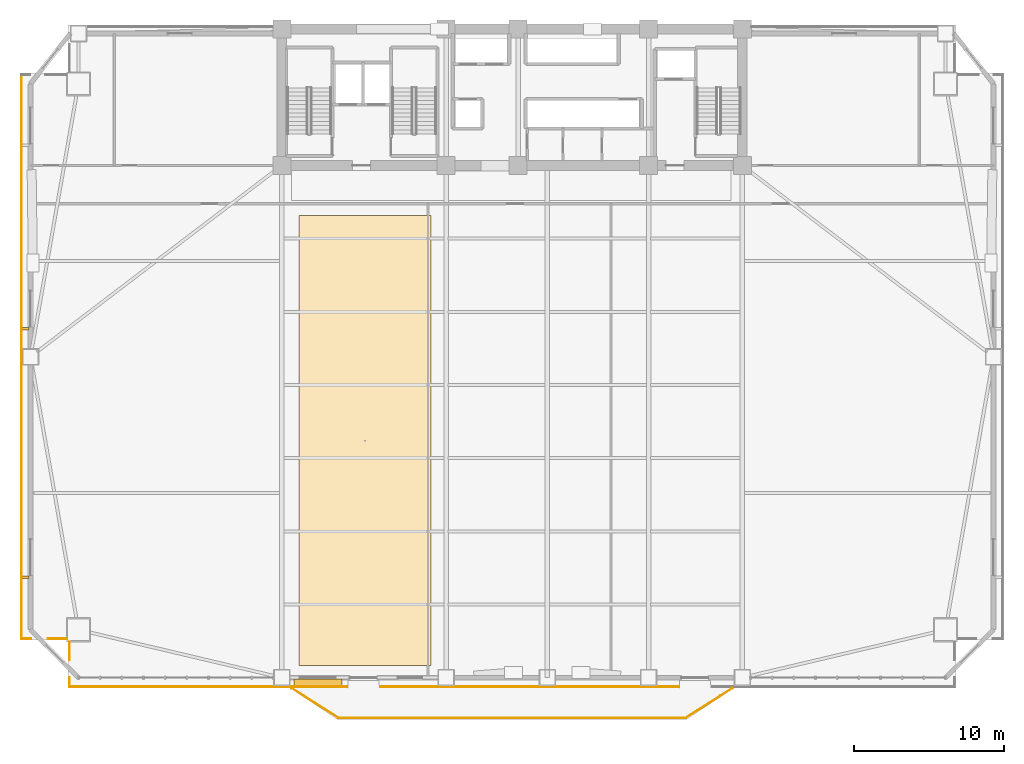
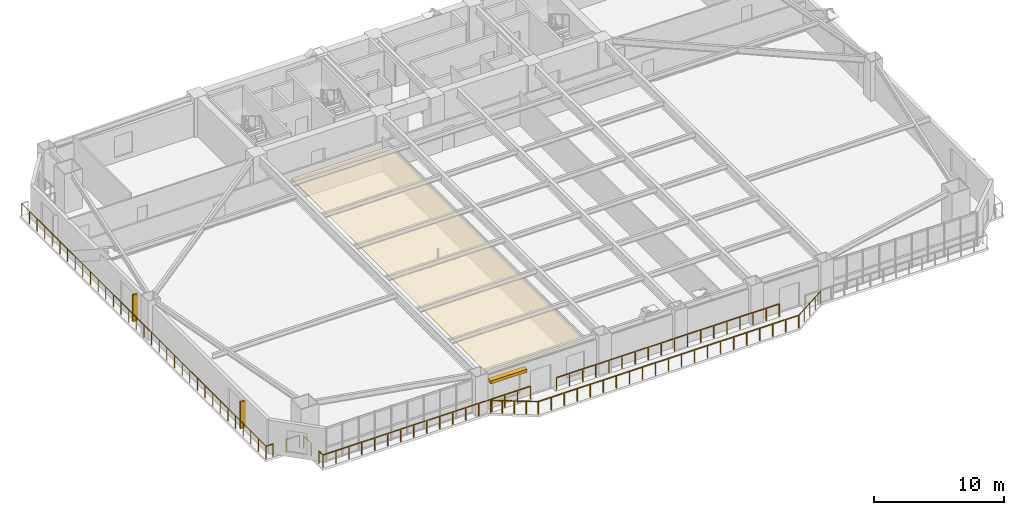
# One storey, part 13 of 17: 10 railings, 3 shading devices, 1 covering.
"""IFC4 building model written with IfcOpenShell, lengths in metres."""

import ifcopenshell
import ifcopenshell.guid

model = None  # the IFC model being written
_history = None  # IfcOwnerHistory: only IFC2X3 demands one
_inside = {}  # id of a spatial element -> (the spatial element, [elements in it])
_under = {}  # id of a project, library or spatial element -> (it, [spatial elements below it])
_declared = {}  # id of a project -> (the project, [libraries it declares])
_typed = {}  # id of a type object -> (the type object, [elements of that type])
_made_of = {}  # id of a material, layer set ... -> (it, [elements and type objects made of it])


def new_model(schema):
    """Start an empty IFC model of exactly this schema.

    Asked for "IFC4X3", IfcOpenShell would pick the latest addendum, in which some entities
    have other attributes; the version numbers below select the first issue.
    IFC2X3 requires an IfcOwnerHistory on every rooted entity: one is made here for all.
    """
    global model, _history
    if schema == "IFC4X3":
        model = ifcopenshell.file(schema_version=(4, 3, 0, 0))
    else:
        model = ifcopenshell.file(schema=schema)
    _inside.clear()
    _under.clear()
    _declared.clear()
    _typed.clear()
    _made_of.clear()
    _history = None
    if model.schema == "IFC2X3":
        org = make("IfcOrganization", Name="unknown")
        user = make(
            "IfcPersonAndOrganization",
            ThePerson=make("IfcPerson", FamilyName="unknown"),
            TheOrganization=org,
        )
        app = make(
            "IfcApplication",
            ApplicationDeveloper=org,
            Version="unknown",
            ApplicationFullName="unknown",
            ApplicationIdentifier="unknown",
        )
        _history = make(
            "IfcOwnerHistory",
            OwningUser=user,
            OwningApplication=app,
            ChangeAction="ADDED",
            CreationDate=0,
        )
    return model


def make(cls, **values):
    """One entity of the class cls with the attributes given. An attribute that is None is left unset."""
    return model.create_entity(
        cls, **{name: value for name, value in values.items() if value is not None}
    )


def rooted(cls, **values):
    """An entity with a GlobalId (a new one), such as an element, a storey or a relation."""
    return make(cls, GlobalId=ifcopenshell.guid.new(), OwnerHistory=_history, **values)


def si_unit(unit_type, name, prefix=None):
    """IfcSIUnit, for example si_unit("LENGTHUNIT", "METRE", prefix="MILLI")."""
    return make("IfcSIUnit", UnitType=unit_type, Prefix=prefix, Name=name)


def assignment(units):
    """IfcUnitAssignment: the units of a project."""
    return None if units is None else make("IfcUnitAssignment", Units=units)


def point(xyz):
    """IfcCartesianPoint."""
    return None if xyz is None else make("IfcCartesianPoint", Coordinates=xyz)


def direction(xyz):
    """IfcDirection."""
    return None if xyz is None else make("IfcDirection", DirectionRatios=xyz)


def frame(location, z_axis=None, x_axis=None):
    """IfcAxis2Placement3D, a coordinate frame: its origin and axes. An axis left out is left unset."""
    return make(
        "IfcAxis2Placement3D",
        Location=point(location),
        Axis=direction(z_axis),
        RefDirection=direction(x_axis),
    )


def frame_2d(location, x_axis=None):
    """IfcAxis2Placement2D, a coordinate frame in the plane: its origin and x axis."""
    return make(
        "IfcAxis2Placement2D", Location=point(location), RefDirection=direction(x_axis)
    )


def origin():
    """The frame at (0, 0, 0) with its axes left unset."""
    return frame((0.0, 0.0, 0.0))


def origin_2d():
    """The frame at (0, 0) in the plane with its x axis left unset."""
    return frame_2d((0.0, 0.0))


def place(relative_to, where):
    """IfcLocalPlacement: puts the frame where relative to a parent placement (None: the world)."""
    return make(
        "IfcLocalPlacement", PlacementRelTo=relative_to, RelativePlacement=where
    )


def context(
    kind, dimensions, precision=None, world=None, true_north=None, identifier=None
):
    """IfcGeometricRepresentationContext, for example the 3D "Model" context."""
    return make(
        "IfcGeometricRepresentationContext",
        ContextIdentifier=identifier,
        ContextType=kind,
        CoordinateSpaceDimension=dimensions,
        Precision=precision,
        WorldCoordinateSystem=world,
        TrueNorth=true_north,
    )


def subcontext(parent, identifier, kind, view, scale=None):
    """IfcGeometricRepresentationSubContext, for example "Body" below "Model"."""
    return make(
        "IfcGeometricRepresentationSubContext",
        ContextIdentifier=identifier,
        ContextType=kind,
        ParentContext=parent,
        TargetScale=scale,
        TargetView=view,
    )


def project(units=None, contexts=None):
    """IfcProject with its units and contexts."""
    return rooted(
        "IfcProject",
        Name="project",
        RepresentationContexts=contexts,
        UnitsInContext=assignment(units),
    )


def spatial(cls, under=None, at=None, **own):
    """A site, building, storey or space (cls), placed at a placement, below another one or the project."""
    s = rooted(cls, ObjectPlacement=at, **own)
    if under is not None:
        _under.setdefault(under.id(), (under, []))[1].append(s)
    return s


def polyline(points):
    """IfcPolyline through the points."""
    return make("IfcPolyline", Points=[point(p) for p in points])


def profile(cls, at=None, kind="AREA", **sizes):
    """A parametric profile (cls). Its sizes go by their IFC names, for example OverallWidth=200.0."""
    return make(cls, ProfileType=kind, Position=at, **sizes)


def rectangle(**sizes):
    """IfcRectangleProfileDef."""
    return profile("IfcRectangleProfileDef", **sizes)


def outline(outer, holes=None, kind="AREA"):
    """IfcArbitraryClosedProfileDef: a profile drawn as a closed curve; with holes, ...WithVoids."""
    if holes is None:
        return make("IfcArbitraryClosedProfileDef", ProfileType=kind, OuterCurve=outer)
    return make(
        "IfcArbitraryProfileDefWithVoids",
        ProfileType=kind,
        OuterCurve=outer,
        InnerCurves=holes,
    )


def extrude(swept, where, along, depth):
    """IfcExtrudedAreaSolid: the profile swept, set in the frame where, extruded along a direction by depth."""
    return make(
        "IfcExtrudedAreaSolid",
        SweptArea=swept,
        Position=where,
        ExtrudedDirection=direction(along),
        Depth=depth,
    )


def shape(context_of_items, identifier, shape_type, items):
    """IfcShapeRepresentation: the items that make up one representation, for example the "Body"."""
    return make(
        "IfcShapeRepresentation",
        ContextOfItems=context_of_items,
        RepresentationIdentifier=identifier,
        RepresentationType=shape_type,
        Items=items,
    )


def source(mapping_origin, context_of_items, identifier, shape_type, items):
    """IfcRepresentationMap: a shape defined once, which mapped items show again and again."""
    return make(
        "IfcRepresentationMap",
        MappingOrigin=mapping_origin,
        MappedRepresentation=shape(context_of_items, identifier, shape_type, items),
    )


def transform(
    local_origin,
    x_axis=None,
    y_axis=None,
    z_axis=None,
    scale=None,
    scale2=None,
    scale3=None,
    uniform=True,
):
    """IfcCartesianTransformationOperator3D, or its non-uniform kind. x_axis, y_axis, z_axis: its Axis1, 2, 3."""
    if uniform:
        return make(
            "IfcCartesianTransformationOperator3D",
            Axis1=direction(x_axis),
            Axis2=direction(y_axis),
            LocalOrigin=point(local_origin),
            Scale=scale,
            Axis3=direction(z_axis),
        )
    return make(
        "IfcCartesianTransformationOperator3DnonUniform",
        Axis1=direction(x_axis),
        Axis2=direction(y_axis),
        LocalOrigin=point(local_origin),
        Scale=scale,
        Axis3=direction(z_axis),
        Scale2=scale2,
        Scale3=scale3,
    )


def mapped(mapping_source, mapping_target):
    """IfcMappedItem: shows the shape of a source again, moved by a transform."""
    return make(
        "IfcMappedItem", MappingSource=mapping_source, MappingTarget=mapping_target
    )


def material(Name=None, Category=None):
    """IfcMaterial."""
    return make("IfcMaterial", Name=Name, Category=Category)


def layer(
    of_material, thickness, ventilated=None, Name=None, Category=None, Priority=None
):
    """IfcMaterialLayer: one layer of a wall or slab, of a material (None: an air gap)."""
    return make(
        "IfcMaterialLayer",
        Material=of_material,
        LayerThickness=thickness,
        IsVentilated=ventilated,
        Name=Name,
        Category=Category,
        Priority=Priority,
    )


def layer_set(layers, Name=None):
    """IfcMaterialLayerSet."""
    return make("IfcMaterialLayerSet", MaterialLayers=layers, LayerSetName=Name)


def made_of(thing, what):
    """Note that an element or type object is made of a material, layer set ...; save() writes the relation."""
    if what is not None:
        _made_of.setdefault(what.id(), (what, []))[1].append(thing)
    return thing


def type_object(cls, material=None, **own):
    """A type object (cls), such as IfcWallType, which elements share."""
    return made_of(rooted(cls, **own), material)


def element(
    cls,
    number,
    at=None,
    inside=None,
    cuts=None,
    type_object=None,
    material=None,
    context=None,
    identifier="Body",
    shape_type=None,
    held_by="IfcProductDefinitionShape",
    body=None,
    shapes=None,
    **own,
):
    """One element of the class cls, such as IfcWall. Its Tag is "e" and its number.

    at: its placement. inside: the storey or other place that contains it. cuts: it is an
    opening in that element (IfcRelVoidsElement). A single representation is given by context,
    identifier, shape_type and body (its items); several are given by shapes. held_by: the class
    of the entity that holds the representations. save() writes the other relations.
    """
    e = rooted(cls, Tag="e%d" % number, ObjectPlacement=at, **own)
    if body is not None:
        shapes = [shape(context, identifier, shape_type, body)]
    if shapes is not None:
        e.Representation = make(held_by, Representations=shapes)
    if inside is not None:
        _inside.setdefault(inside.id(), (inside, []))[1].append(e)
    if cuts is not None:
        rooted(
            "IfcRelVoidsElement", RelatingBuildingElement=cuts, RelatedOpeningElement=e
        )
    if type_object is not None:
        _typed.setdefault(type_object.id(), (type_object, []))[1].append(e)
    return made_of(e, material)


def aggregate(whole, parts):
    """IfcRelAggregates: a whole, such as a stair, and the parts it consists of."""
    return rooted("IfcRelAggregates", RelatingObject=whole, RelatedObjects=parts)


def save(model, path):
    """Write the relations noted so far, then the file.

    IfcRelAggregates (storeys below a building ...), IfcRelContainedInSpatialStructure (elements
    in a storey), IfcRelDefinesByType, IfcRelAssociatesMaterial and IfcRelDeclares: one each for
    every whole, place, type object, material and project.
    """
    for whole, parts in _under.values():
        aggregate(whole, parts)
    for where, things in _inside.values():
        rooted(
            "IfcRelContainedInSpatialStructure",
            RelatedElements=things,
            RelatingStructure=where,
        )
    for kind, things in _typed.values():
        rooted("IfcRelDefinesByType", RelatedObjects=things, RelatingType=kind)
    for what, things in _made_of.values():
        rooted("IfcRelAssociatesMaterial", RelatedObjects=things, RelatingMaterial=what)
    for by, libraries in _declared.values():
        rooted("IfcRelDeclares", RelatingContext=by, RelatedDefinitions=libraries)
    model.write(path)


model = new_model("IFC4")

# Units and contexts
model_context = context("Model", 3, precision=1e-05, world=origin(), true_north=direction((0.0, 1.0)))
body_context = subcontext(model_context, "Body", "Model", "MODEL_VIEW")
ifc_project = project(units=[si_unit("LENGTHUNIT", "METRE"), si_unit("AREAUNIT", "SQUARE_METRE"), si_unit("VOLUMEUNIT", "CUBIC_METRE"), si_unit("PLANEANGLEUNIT", "RADIAN"), si_unit("MASSUNIT", "GRAM", prefix="KILO")], contexts=[model_context])

# Site, building, storey
site_placement = place(None, origin())
site = spatial("IfcSite", under=ifc_project, at=site_placement, CompositionType="ELEMENT")
building_placement = place(site_placement, origin())
building = spatial("IfcBuilding", under=site, at=building_placement, Name="Giltprow Tower", CompositionType="ELEMENT")
storey_placement = place(building_placement, frame((0.0, 0.0, 29.300048828125)))
storey = spatial("IfcBuildingStorey", under=building, at=storey_placement, Name="L07", CompositionType="ELEMENT", Elevation=29.300048828125)

# Covering
ifc_material_1 = material(Name="Acoustic mineral fibre", Category="gypsum")
ifc_layer = layer(ifc_material_1, 0.030029296875, Name="Acoustic mineral fibre")
ifc_layer_set = layer_set([ifc_layer], Name="Acoustic mineral fibre")
covering_type = type_object("IfcCoveringType", Name="COV-CLG-ACOUSTIC", PredefinedType="CEILING", material=ifc_layer_set)
covering_placement = place(storey_placement, frame((0.0, 0.0, 2.719970703125)))
element("IfcCovering", 1, at=covering_placement, inside=storey, type_object=covering_type, Name="L07 Office Acoustic Ceiling", PredefinedType="CEILING", context=body_context, shape_type="SweptSolid", body=[
    extrude(outline(polyline([(21.0, 4.10009765625), (29.800048828125, 4.10009765625), (29.800048828125, 34.10009765625), (21.0, 34.10009765625), (21.0, 4.10009765625)])), origin(), (0.0, 0.0, 1.0), 0.030029296875),
])

# Railings
ifc_material_2 = material(Name="Anodized bronze", Category="metal")
railing_type = type_object("IfcRailingType", Name="RAIL-BALC-GUARD-1200", PredefinedType="BALUSTRADE", material=ifc_material_2)
railing_1_placement = place(storey_placement, frame((20.52001953125, 2.60009765625, 0.0)))
element("IfcRailing", 2, at=railing_1_placement, inside=storey, type_object=railing_type, Name="L07 Waterfront Balcony Balustrade Seg 1", PredefinedType="BALUSTRADE", context=body_context, shape_type="SweptSolid", body=[
    extrude(rectangle(XDim=0.048095703125, YDim=0.048095703125, at=origin_2d()), frame((0.0, 0.0, 1.17578125), z_axis=(0.84277487735, -0.538266203757, 0.0), x_axis=(0.538266203757, 0.84277487735, 0.0)), (0.0, 0.0, 1.0), 3.678466796875),
    extrude(rectangle(XDim=0.0419921875, YDim=0.0419921875, at=origin_2d()), origin(), (0.0, 0.0, 1.0), 1.15185546875),
    extrude(rectangle(XDim=0.0419921875, YDim=0.0419921875, at=origin_2d()), frame((0.77490234375, -0.4951171875, 0.0)), (0.0, 0.0, 1.0), 1.15185546875),
    extrude(rectangle(XDim=0.0419921875, YDim=0.0419921875, at=origin_2d()), frame((1.550048828125, -0.989990234375, 0.0)), (0.0, 0.0, 1.0), 1.15185546875),
    extrude(rectangle(XDim=0.0419921875, YDim=0.0419921875, at=origin_2d()), frame((2.3251953125, -1.48486328125, 0.0)), (0.0, 0.0, 1.0), 1.15185546875),
    extrude(rectangle(XDim=0.0419921875, YDim=0.0419921875, at=origin_2d()), frame((3.10009765625, -1.97998046875, 0.0)), (0.0, 0.0, 1.0), 1.15185546875),
])
railing_2_placement = place(storey_placement, frame((23.6201171875, 0.6201171875, 0.0)))
element("IfcRailing", 3, at=railing_2_placement, inside=storey, type_object=railing_type, Name="L07 Waterfront Balcony Balustrade Seg 2", PredefinedType="BALUSTRADE", context=body_context, shape_type="SweptSolid", body=[
    extrude(rectangle(XDim=0.048095703125, YDim=0.048095703125, at=origin_2d()), frame((0.0, 0.0, 1.17578125), z_axis=(1.0, 0.0, 0.0), x_axis=(0.0, 1.0, 0.0)), (0.0, 0.0, 1.0), 23.159912109375),
    extrude(rectangle(XDim=0.0419921875, YDim=0.0419921875, at=origin_2d()), origin(), (0.0, 0.0, 1.0), 1.15185546875),
    extrude(rectangle(XDim=0.0419921875, YDim=0.0419921875, at=origin_2d()), frame((1.157958984375, 0.0, 0.0)), (0.0, 0.0, 1.0), 1.15185546875),
    extrude(rectangle(XDim=0.0419921875, YDim=0.0419921875, at=origin_2d()), frame((2.31591796875, 0.0, 0.0)), (0.0, 0.0, 1.0), 1.15185546875),
    extrude(rectangle(XDim=0.0419921875, YDim=0.0419921875, at=origin_2d()), frame((3.473876953125, 0.0, 0.0)), (0.0, 0.0, 1.0), 1.15185546875),
    extrude(rectangle(XDim=0.0419921875, YDim=0.0419921875, at=origin_2d()), frame((4.632080078125, 0.0, 0.0)), (0.0, 0.0, 1.0), 1.15185546875),
    extrude(rectangle(XDim=0.0419921875, YDim=0.0419921875, at=origin_2d()), frame((5.7900390625, 0.0, 0.0)), (0.0, 0.0, 1.0), 1.15185546875),
    extrude(rectangle(XDim=0.0419921875, YDim=0.0419921875, at=origin_2d()), frame((6.947998046875, 0.0, 0.0)), (0.0, 0.0, 1.0), 1.15185546875),
    extrude(rectangle(XDim=0.0419921875, YDim=0.0419921875, at=origin_2d()), frame((8.10595703125, 0.0, 0.0)), (0.0, 0.0, 1.0), 1.15185546875),
    extrude(rectangle(XDim=0.0419921875, YDim=0.0419921875, at=origin_2d()), frame((9.263916015625, 0.0, 0.0)), (0.0, 0.0, 1.0), 1.15185546875),
    extrude(rectangle(XDim=0.0419921875, YDim=0.0419921875, at=origin_2d()), frame((10.421875, 0.0, 0.0)), (0.0, 0.0, 1.0), 1.15185546875),
    extrude(rectangle(XDim=0.0419921875, YDim=0.0419921875, at=origin_2d()), frame((11.580078125, 0.0, 0.0)), (0.0, 0.0, 1.0), 1.15185546875),
    extrude(rectangle(XDim=0.0419921875, YDim=0.0419921875, at=origin_2d()), frame((12.738037109375, 0.0, 0.0)), (0.0, 0.0, 1.0), 1.15185546875),
    extrude(rectangle(XDim=0.0419921875, YDim=0.0419921875, at=origin_2d()), frame((13.89599609375, 0.0, 0.0)), (0.0, 0.0, 1.0), 1.15185546875),
    extrude(rectangle(XDim=0.0419921875, YDim=0.0419921875, at=origin_2d()), frame((15.053955078125, 0.0, 0.0)), (0.0, 0.0, 1.0), 1.15185546875),
    extrude(rectangle(XDim=0.0419921875, YDim=0.0419921875, at=origin_2d()), frame((16.2119140625, 0.0, 0.0)), (0.0, 0.0, 1.0), 1.15185546875),
    extrude(rectangle(XDim=0.0419921875, YDim=0.0419921875, at=origin_2d()), frame((17.369873046875, 0.0, 0.0)), (0.0, 0.0, 1.0), 1.15185546875),
    extrude(rectangle(XDim=0.0419921875, YDim=0.0419921875, at=origin_2d()), frame((18.52783203125, 0.0, 0.0)), (0.0, 0.0, 1.0), 1.15185546875),
    extrude(rectangle(XDim=0.0419921875, YDim=0.0419921875, at=origin_2d()), frame((19.68603515625, 0.0, 0.0)), (0.0, 0.0, 1.0), 1.15185546875),
    extrude(rectangle(XDim=0.0419921875, YDim=0.0419921875, at=origin_2d()), frame((20.843994140625, 0.0, 0.0)), (0.0, 0.0, 1.0), 1.15185546875),
    extrude(rectangle(XDim=0.0419921875, YDim=0.0419921875, at=origin_2d()), frame((22.001953125, 0.0, 0.0)), (0.0, 0.0, 1.0), 1.15185546875),
    extrude(rectangle(XDim=0.0419921875, YDim=0.0419921875, at=origin_2d()), frame((23.159912109375, 0.0, 0.0)), (0.0, 0.0, 1.0), 1.15185546875),
])
railing_3_placement = place(storey_placement, frame((46.780029296875, 0.6201171875, 0.0)))
element("IfcRailing", 4, at=railing_3_placement, inside=storey, type_object=railing_type, Name="L07 Waterfront Balcony Balustrade Seg 3", PredefinedType="BALUSTRADE", context=body_context, shape_type="SweptSolid", body=[
    extrude(rectangle(XDim=0.048095703125, YDim=0.048095703125, at=origin_2d()), frame((0.0, 0.0, 1.17578125), z_axis=(0.842755646126, 0.538296313309, 0.0), x_axis=(-0.538296313309, 0.842755646126, 0.0)), (0.0, 0.0, 1.0), 3.67822265625),
    extrude(rectangle(XDim=0.0419921875, YDim=0.0419921875, at=origin_2d()), origin(), (0.0, 0.0, 1.0), 1.15185546875),
    extrude(rectangle(XDim=0.0419921875, YDim=0.0419921875, at=origin_2d()), frame((0.77490234375, 0.4951171875, 0.0)), (0.0, 0.0, 1.0), 1.15185546875),
    extrude(rectangle(XDim=0.0419921875, YDim=0.0419921875, at=origin_2d()), frame((1.5498046875, 0.989990234375, 0.0)), (0.0, 0.0, 1.0), 1.15185546875),
    extrude(rectangle(XDim=0.0419921875, YDim=0.0419921875, at=origin_2d()), frame((2.324951171875, 1.48486328125, 0.0)), (0.0, 0.0, 1.0), 1.15185546875),
    extrude(rectangle(XDim=0.0419921875, YDim=0.0419921875, at=origin_2d()), frame((3.099853515625, 1.97998046875, 0.0)), (0.0, 0.0, 1.0), 1.15185546875),
])
railing_4_placement = place(storey_placement, frame((5.699951171875, 2.699951171875, 0.0)))
element("IfcRailing", 5, at=railing_4_placement, inside=storey, type_object=railing_type, Name="L07 Corner Apron Edge Balustrade 1", PredefinedType="BALUSTRADE", context=body_context, shape_type="SweptSolid", body=[
    extrude(rectangle(XDim=0.048095703125, YDim=0.048095703125, at=origin_2d()), frame((0.0, 0.0, 1.17578125), z_axis=(0.0, 1.0, 0.0), x_axis=(-1.0, 0.0, 0.0)), (0.0, 0.0, 1.0), 0.6201171875),
    extrude(rectangle(XDim=0.0419921875, YDim=0.0419921875, at=origin_2d()), origin(), (0.0, 0.0, 1.0), 1.15185546875),
    extrude(rectangle(XDim=0.0419921875, YDim=0.0419921875, at=origin_2d()), frame((0.0, 0.6201171875, 0.0)), (0.0, 0.0, 1.0), 1.15185546875),
])
railing_5_placement = place(storey_placement, frame((5.699951171875, 4.47998046875, 0.0)))
element("IfcRailing", 6, at=railing_5_placement, inside=storey, type_object=railing_type, Name="L07 Corner Apron Edge Balustrade 2", PredefinedType="BALUSTRADE", context=body_context, shape_type="SweptSolid", body=[
    extrude(rectangle(XDim=0.048095703125, YDim=0.048095703125, at=origin_2d()), frame((0.0, 0.0, 1.17578125), z_axis=(0.0, 1.0, 0.0), x_axis=(-1.0, 0.0, 0.0)), (0.0, 0.0, 1.0), 1.18505859375),
    extrude(rectangle(XDim=0.0419921875, YDim=0.0419921875, at=origin_2d()), origin(), (0.0, 0.0, 1.0), 1.15185546875),
    extrude(rectangle(XDim=0.0419921875, YDim=0.0419921875, at=origin_2d()), frame((0.0, 1.18505859375, 0.0)), (0.0, 0.0, 1.0), 1.15185546875),
])
railing_6_placement = place(storey_placement, frame((5.465087890625, 5.89990234375, 0.0)))
element("IfcRailing", 7, at=railing_6_placement, inside=storey, type_object=railing_type, Name="L07 Corner Apron Edge Balustrade 3", PredefinedType="BALUSTRADE", context=body_context, shape_type="SweptSolid", body=[
    extrude(rectangle(XDim=0.048095703125, YDim=0.048095703125, at=origin_2d()), frame((0.0, 0.0, 1.17578125), z_axis=(-1.0, 0.0, 0.0), x_axis=(0.0, -1.0, 0.0)), (0.0, 0.0, 1.0), 1.18505859375),
    extrude(rectangle(XDim=0.0419921875, YDim=0.0419921875, at=origin_2d()), origin(), (0.0, 0.0, 1.0), 1.15185546875),
    extrude(rectangle(XDim=0.0419921875, YDim=0.0419921875, at=origin_2d()), frame((-1.18505859375, 0.0, 0.0)), (0.0, 0.0, 1.0), 1.15185546875),
])
railing_7_placement = place(storey_placement, frame((3.1201171875, 5.89990234375, 0.0)))
element("IfcRailing", 8, at=railing_7_placement, inside=storey, type_object=railing_type, Name="L07 Corner Apron Edge Balustrade 4", PredefinedType="BALUSTRADE", context=body_context, shape_type="SweptSolid", body=[
    extrude(rectangle(XDim=0.048095703125, YDim=0.048095703125, at=origin_2d()), frame((0.0, 0.0, 1.17578125), z_axis=(-1.0, 0.0, 0.0), x_axis=(0.0, -1.0, 0.0)), (0.0, 0.0, 1.0), 0.6201171875),
    extrude(rectangle(XDim=0.0419921875, YDim=0.0419921875, at=origin_2d()), origin(), (0.0, 0.0, 1.0), 1.15185546875),
    extrude(rectangle(XDim=0.0419921875, YDim=0.0419921875, at=origin_2d()), frame((-0.6201171875, 0.0, 0.0)), (0.0, 0.0, 1.0), 1.15185546875),
])
railing_8_placement = place(storey_placement, frame((2.5, 5.89990234375, 0.0)))
element("IfcRailing", 9, at=railing_8_placement, inside=storey, type_object=railing_type, Name="L07 Corner Apron Edge Balustrade 5", PredefinedType="BALUSTRADE", context=body_context, shape_type="SweptSolid", body=[
    extrude(rectangle(XDim=0.048095703125, YDim=0.048095703125, at=origin_2d()), frame((0.0, 0.0, 1.17578125), z_axis=(0.0, 1.0, 0.0), x_axis=(-1.0, 0.0, 0.0)), (0.0, 0.0, 1.0), 37.60009765625),
    extrude(rectangle(XDim=0.0419921875, YDim=0.0419921875, at=origin_2d()), origin(), (0.0, 0.0, 1.0), 1.15185546875),
    extrude(rectangle(XDim=0.0419921875, YDim=0.0419921875, at=origin_2d()), frame((0.0, 1.175048828125, 0.0)), (0.0, 0.0, 1.0), 1.15185546875),
    extrude(rectangle(XDim=0.0419921875, YDim=0.0419921875, at=origin_2d()), frame((0.0, 2.35009765625, 0.0)), (0.0, 0.0, 1.0), 1.15185546875),
    extrude(rectangle(XDim=0.0419921875, YDim=0.0419921875, at=origin_2d()), frame((0.0, 3.52490234375, 0.0)), (0.0, 0.0, 1.0), 1.15185546875),
    extrude(rectangle(XDim=0.0419921875, YDim=0.0419921875, at=origin_2d()), frame((0.0, 4.699951171875, 0.0)), (0.0, 0.0, 1.0), 1.15185546875),
    extrude(rectangle(XDim=0.0419921875, YDim=0.0419921875, at=origin_2d()), frame((0.0, 5.875, 0.0)), (0.0, 0.0, 1.0), 1.15185546875),
    extrude(rectangle(XDim=0.0419921875, YDim=0.0419921875, at=origin_2d()), frame((0.0, 7.050048828125, 0.0)), (0.0, 0.0, 1.0), 1.15185546875),
    extrude(rectangle(XDim=0.0419921875, YDim=0.0419921875, at=origin_2d()), frame((0.0, 8.22509765625, 0.0)), (0.0, 0.0, 1.0), 1.15185546875),
    extrude(rectangle(XDim=0.0419921875, YDim=0.0419921875, at=origin_2d()), frame((0.0, 9.39990234375, 0.0)), (0.0, 0.0, 1.0), 1.15185546875),
    extrude(rectangle(XDim=0.0419921875, YDim=0.0419921875, at=origin_2d()), frame((0.0, 10.574951171875, 0.0)), (0.0, 0.0, 1.0), 1.15185546875),
    extrude(rectangle(XDim=0.0419921875, YDim=0.0419921875, at=origin_2d()), frame((0.0, 11.75, 0.0)), (0.0, 0.0, 1.0), 1.15185546875),
    extrude(rectangle(XDim=0.0419921875, YDim=0.0419921875, at=origin_2d()), frame((0.0, 12.925048828125, 0.0)), (0.0, 0.0, 1.0), 1.15185546875),
    extrude(rectangle(XDim=0.0419921875, YDim=0.0419921875, at=origin_2d()), frame((0.0, 14.10009765625, 0.0)), (0.0, 0.0, 1.0), 1.15185546875),
    extrude(rectangle(XDim=0.0419921875, YDim=0.0419921875, at=origin_2d()), frame((0.0, 15.275146484375, 0.0)), (0.0, 0.0, 1.0), 1.15185546875),
    extrude(rectangle(XDim=0.0419921875, YDim=0.0419921875, at=origin_2d()), frame((0.0, 16.449951171875, 0.0)), (0.0, 0.0, 1.0), 1.15185546875),
    extrude(rectangle(XDim=0.0419921875, YDim=0.0419921875, at=origin_2d()), frame((0.0, 17.625, 0.0)), (0.0, 0.0, 1.0), 1.15185546875),
    extrude(rectangle(XDim=0.0419921875, YDim=0.0419921875, at=origin_2d()), frame((0.0, 18.800048828125, 0.0)), (0.0, 0.0, 1.0), 1.15185546875),
    extrude(rectangle(XDim=0.0419921875, YDim=0.0419921875, at=origin_2d()), frame((0.0, 19.97509765625, 0.0)), (0.0, 0.0, 1.0), 1.15185546875),
    extrude(rectangle(XDim=0.0419921875, YDim=0.0419921875, at=origin_2d()), frame((0.0, 21.150146484375, 0.0)), (0.0, 0.0, 1.0), 1.15185546875),
    extrude(rectangle(XDim=0.0419921875, YDim=0.0419921875, at=origin_2d()), frame((0.0, 22.324951171875, 0.0)), (0.0, 0.0, 1.0), 1.15185546875),
    extrude(rectangle(XDim=0.0419921875, YDim=0.0419921875, at=origin_2d()), frame((0.0, 23.5, 0.0)), (0.0, 0.0, 1.0), 1.15185546875),
    extrude(rectangle(XDim=0.0419921875, YDim=0.0419921875, at=origin_2d()), frame((0.0, 24.675048828125, 0.0)), (0.0, 0.0, 1.0), 1.15185546875),
    extrude(rectangle(XDim=0.0419921875, YDim=0.0419921875, at=origin_2d()), frame((0.0, 25.85009765625, 0.0)), (0.0, 0.0, 1.0), 1.15185546875),
    extrude(rectangle(XDim=0.0419921875, YDim=0.0419921875, at=origin_2d()), frame((0.0, 27.025146484375, 0.0)), (0.0, 0.0, 1.0), 1.15185546875),
    extrude(rectangle(XDim=0.0419921875, YDim=0.0419921875, at=origin_2d()), frame((0.0, 28.2001953125, 0.0)), (0.0, 0.0, 1.0), 1.15185546875),
    extrude(rectangle(XDim=0.0419921875, YDim=0.0419921875, at=origin_2d()), frame((0.0, 29.375, 0.0)), (0.0, 0.0, 1.0), 1.15185546875),
    extrude(rectangle(XDim=0.0419921875, YDim=0.0419921875, at=origin_2d()), frame((0.0, 30.550048828125, 0.0)), (0.0, 0.0, 1.0), 1.15185546875),
    extrude(rectangle(XDim=0.0419921875, YDim=0.0419921875, at=origin_2d()), frame((0.0, 31.72509765625, 0.0)), (0.0, 0.0, 1.0), 1.15185546875),
    extrude(rectangle(XDim=0.0419921875, YDim=0.0419921875, at=origin_2d()), frame((0.0, 32.900146484375, 0.0)), (0.0, 0.0, 1.0), 1.15185546875),
    extrude(rectangle(XDim=0.0419921875, YDim=0.0419921875, at=origin_2d()), frame((0.0, 34.0751953125, 0.0)), (0.0, 0.0, 1.0), 1.15185546875),
    extrude(rectangle(XDim=0.0419921875, YDim=0.0419921875, at=origin_2d()), frame((0.0, 35.25, 0.0)), (0.0, 0.0, 1.0), 1.15185546875),
    extrude(rectangle(XDim=0.0419921875, YDim=0.0419921875, at=origin_2d()), frame((0.0, 36.425048828125, 0.0)), (0.0, 0.0, 1.0), 1.15185546875),
    extrude(rectangle(XDim=0.0419921875, YDim=0.0419921875, at=origin_2d()), frame((0.0, 37.60009765625, 0.0)), (0.0, 0.0, 1.0), 1.15185546875),
])
railing_9_placement = place(storey_placement, frame((46.25, 2.699951171875, 0.0)))
element("IfcRailing", 10, at=railing_9_placement, inside=storey, type_object=railing_type, Name="L07 Corner Apron Edge Balustrade 20", PredefinedType="BALUSTRADE", context=body_context, shape_type="SweptSolid", body=[
    extrude(rectangle(XDim=0.048095703125, YDim=0.048095703125, at=origin_2d()), frame((0.0, 0.0, 1.17578125), z_axis=(-1.0, 0.0, 0.0), x_axis=(0.0, -1.0, 0.0)), (0.0, 0.0, 1.0), 19.800048828125),
    extrude(rectangle(XDim=0.0419921875, YDim=0.0419921875, at=origin_2d()), origin(), (0.0, 0.0, 1.0), 1.15185546875),
    extrude(rectangle(XDim=0.0419921875, YDim=0.0419921875, at=origin_2d()), frame((-1.164794921875, 0.0, 0.0)), (0.0, 0.0, 1.0), 1.15185546875),
    extrude(rectangle(XDim=0.0419921875, YDim=0.0419921875, at=origin_2d()), frame((-2.329345703125, 0.0, 0.0)), (0.0, 0.0, 1.0), 1.15185546875),
    extrude(rectangle(XDim=0.0419921875, YDim=0.0419921875, at=origin_2d()), frame((-3.494140625, 0.0, 0.0)), (0.0, 0.0, 1.0), 1.15185546875),
    extrude(rectangle(XDim=0.0419921875, YDim=0.0419921875, at=origin_2d()), frame((-4.658935546875, 0.0, 0.0)), (0.0, 0.0, 1.0), 1.15185546875),
    extrude(rectangle(XDim=0.0419921875, YDim=0.0419921875, at=origin_2d()), frame((-5.823486328125, 0.0, 0.0)), (0.0, 0.0, 1.0), 1.15185546875),
    extrude(rectangle(XDim=0.0419921875, YDim=0.0419921875, at=origin_2d()), frame((-6.98828125, 0.0, 0.0)), (0.0, 0.0, 1.0), 1.15185546875),
    extrude(rectangle(XDim=0.0419921875, YDim=0.0419921875, at=origin_2d()), frame((-8.153076171875, 0.0, 0.0)), (0.0, 0.0, 1.0), 1.15185546875),
    extrude(rectangle(XDim=0.0419921875, YDim=0.0419921875, at=origin_2d()), frame((-9.317626953125, 0.0, 0.0)), (0.0, 0.0, 1.0), 1.15185546875),
    extrude(rectangle(XDim=0.0419921875, YDim=0.0419921875, at=origin_2d()), frame((-10.482421875, 0.0, 0.0)), (0.0, 0.0, 1.0), 1.15185546875),
    extrude(rectangle(XDim=0.0419921875, YDim=0.0419921875, at=origin_2d()), frame((-11.64697265625, 0.0, 0.0)), (0.0, 0.0, 1.0), 1.15185546875),
    extrude(rectangle(XDim=0.0419921875, YDim=0.0419921875, at=origin_2d()), frame((-12.811767578125, 0.0, 0.0)), (0.0, 0.0, 1.0), 1.15185546875),
    extrude(rectangle(XDim=0.0419921875, YDim=0.0419921875, at=origin_2d()), frame((-13.9765625, 0.0, 0.0)), (0.0, 0.0, 1.0), 1.15185546875),
    extrude(rectangle(XDim=0.0419921875, YDim=0.0419921875, at=origin_2d()), frame((-15.14111328125, 0.0, 0.0)), (0.0, 0.0, 1.0), 1.15185546875),
    extrude(rectangle(XDim=0.0419921875, YDim=0.0419921875, at=origin_2d()), frame((-16.305908203125, 0.0, 0.0)), (0.0, 0.0, 1.0), 1.15185546875),
    extrude(rectangle(XDim=0.0419921875, YDim=0.0419921875, at=origin_2d()), frame((-17.470703125, 0.0, 0.0)), (0.0, 0.0, 1.0), 1.15185546875),
    extrude(rectangle(XDim=0.0419921875, YDim=0.0419921875, at=origin_2d()), frame((-18.63525390625, 0.0, 0.0)), (0.0, 0.0, 1.0), 1.15185546875),
    extrude(rectangle(XDim=0.0419921875, YDim=0.0419921875, at=origin_2d()), frame((-19.800048828125, 0.0, 0.0)), (0.0, 0.0, 1.0), 1.15185546875),
])
railing_10_placement = place(storey_placement, frame((24.14990234375, 2.699951171875, 0.0)))
element("IfcRailing", 11, at=railing_10_placement, inside=storey, type_object=railing_type, Name="L07 Corner Apron Edge Balustrade 21", PredefinedType="BALUSTRADE", context=body_context, shape_type="SweptSolid", body=[
    extrude(rectangle(XDim=0.048095703125, YDim=0.048095703125, at=origin_2d()), frame((0.0, 0.0, 1.17578125), z_axis=(-1.0, 0.0, 0.0), x_axis=(0.0, -1.0, 0.0)), (0.0, 0.0, 1.0), 18.449951171875),
    extrude(rectangle(XDim=0.0419921875, YDim=0.0419921875, at=origin_2d()), origin(), (0.0, 0.0, 1.0), 1.15185546875),
    extrude(rectangle(XDim=0.0419921875, YDim=0.0419921875, at=origin_2d()), frame((-1.153076171875, 0.0, 0.0)), (0.0, 0.0, 1.0), 1.15185546875),
    extrude(rectangle(XDim=0.0419921875, YDim=0.0419921875, at=origin_2d()), frame((-2.30615234375, 0.0, 0.0)), (0.0, 0.0, 1.0), 1.15185546875),
    extrude(rectangle(XDim=0.0419921875, YDim=0.0419921875, at=origin_2d()), frame((-3.45947265625, 0.0, 0.0)), (0.0, 0.0, 1.0), 1.15185546875),
    extrude(rectangle(XDim=0.0419921875, YDim=0.0419921875, at=origin_2d()), frame((-4.612548828125, 0.0, 0.0)), (0.0, 0.0, 1.0), 1.15185546875),
    extrude(rectangle(XDim=0.0419921875, YDim=0.0419921875, at=origin_2d()), frame((-5.765625, 0.0, 0.0)), (0.0, 0.0, 1.0), 1.15185546875),
    extrude(rectangle(XDim=0.0419921875, YDim=0.0419921875, at=origin_2d()), frame((-6.918701171875, 0.0, 0.0)), (0.0, 0.0, 1.0), 1.15185546875),
    extrude(rectangle(XDim=0.0419921875, YDim=0.0419921875, at=origin_2d()), frame((-8.07177734375, 0.0, 0.0)), (0.0, 0.0, 1.0), 1.15185546875),
    extrude(rectangle(XDim=0.0419921875, YDim=0.0419921875, at=origin_2d()), frame((-9.22509765625, 0.0, 0.0)), (0.0, 0.0, 1.0), 1.15185546875),
    extrude(rectangle(XDim=0.0419921875, YDim=0.0419921875, at=origin_2d()), frame((-10.378173828125, 0.0, 0.0)), (0.0, 0.0, 1.0), 1.15185546875),
    extrude(rectangle(XDim=0.0419921875, YDim=0.0419921875, at=origin_2d()), frame((-11.53125, 0.0, 0.0)), (0.0, 0.0, 1.0), 1.15185546875),
    extrude(rectangle(XDim=0.0419921875, YDim=0.0419921875, at=origin_2d()), frame((-12.684326171875, 0.0, 0.0)), (0.0, 0.0, 1.0), 1.15185546875),
    extrude(rectangle(XDim=0.0419921875, YDim=0.0419921875, at=origin_2d()), frame((-13.83740234375, 0.0, 0.0)), (0.0, 0.0, 1.0), 1.15185546875),
    extrude(rectangle(XDim=0.0419921875, YDim=0.0419921875, at=origin_2d()), frame((-14.990478515625, 0.0, 0.0)), (0.0, 0.0, 1.0), 1.15185546875),
    extrude(rectangle(XDim=0.0419921875, YDim=0.0419921875, at=origin_2d()), frame((-16.143798828125, 0.0, 0.0)), (0.0, 0.0, 1.0), 1.15185546875),
    extrude(rectangle(XDim=0.0419921875, YDim=0.0419921875, at=origin_2d()), frame((-17.296875, 0.0, 0.0)), (0.0, 0.0, 1.0), 1.15185546875),
    extrude(rectangle(XDim=0.0419921875, YDim=0.0419921875, at=origin_2d()), frame((-18.449951171875, 0.0, 0.0)), (0.0, 0.0, 1.0), 1.15185546875),
])

# Shading devices
shading_device_type_1 = type_object("IfcShadingDeviceType", Name="SHD-FIN-420", PredefinedType="USERDEFINED", material=ifc_material_2)
shared_shape_1 = source(origin(), body_context, "Body", "SweptSolid", [
    extrude(rectangle(XDim=0.419921875, YDim=0.159912109375, at=origin_2d()), origin(), (0.0, 0.0, 1.0), 2.5),
])
for number, where, z_axis, x_axis, name in (
    (12, (2.780029296875, 10.009033203125, 0.349853515625), (0.0, 0.0, 1.0), (1.0, 0.0, 0.0), "L07 W Bronze Vertical Fin 1-1"),
    (13, (2.780029296875, 26.575927734375, 0.349853515625), (0.0, 0.0, 1.0), (1.0, 0.0, 0.0), "L07 W Bronze Vertical Fin 2-1"),
):
    element("IfcShadingDevice", number, at=place(storey_placement, frame(where, z_axis=z_axis, x_axis=x_axis)), inside=storey, type_object=shading_device_type_1, Name=name, ObjectType="FIN", PredefinedType="USERDEFINED", context=body_context, shape_type="MappedRepresentation", body=[
        mapped(shared_shape_1, transform((0.0, 0.0, 0.0), x_axis=(1.0, 0.0, 0.0), y_axis=(0.0, 1.0, 0.0), z_axis=(0.0, 0.0, 1.0), scale=1.0)),
    ])
shading_device_type_2 = type_object("IfcShadingDeviceType", Name="SHD-LOUVRE-320", PredefinedType="JALOUSIE", material=ifc_material_2)
shared_shape_2 = source(origin(), body_context, "Body", "SweptSolid", [
    extrude(rectangle(XDim=3.199951171875, YDim=0.449951171875, at=origin_2d()), origin(), (0.0, 0.0, 1.0), 0.280029296875),
])
shading_device_placement = place(storey_placement, frame((22.25, 2.97998046875, 2.56005859375), z_axis=(0.0, 0.0, 1.0), x_axis=(1.0, 0.0, 0.0)))
element("IfcShadingDevice", 14, at=shading_device_placement, inside=storey, type_object=shading_device_type_2, Name="L07 Bronze Sunshade Louvre S-2", PredefinedType="JALOUSIE", context=body_context, shape_type="MappedRepresentation", body=[
    mapped(shared_shape_2, transform((0.0, 0.0, 0.0), x_axis=(1.0, 0.0, 0.0), y_axis=(0.0, 1.0, 0.0), z_axis=(0.0, 0.0, 1.0), scale=1.0)),
])

save(model, "model.ifc")
